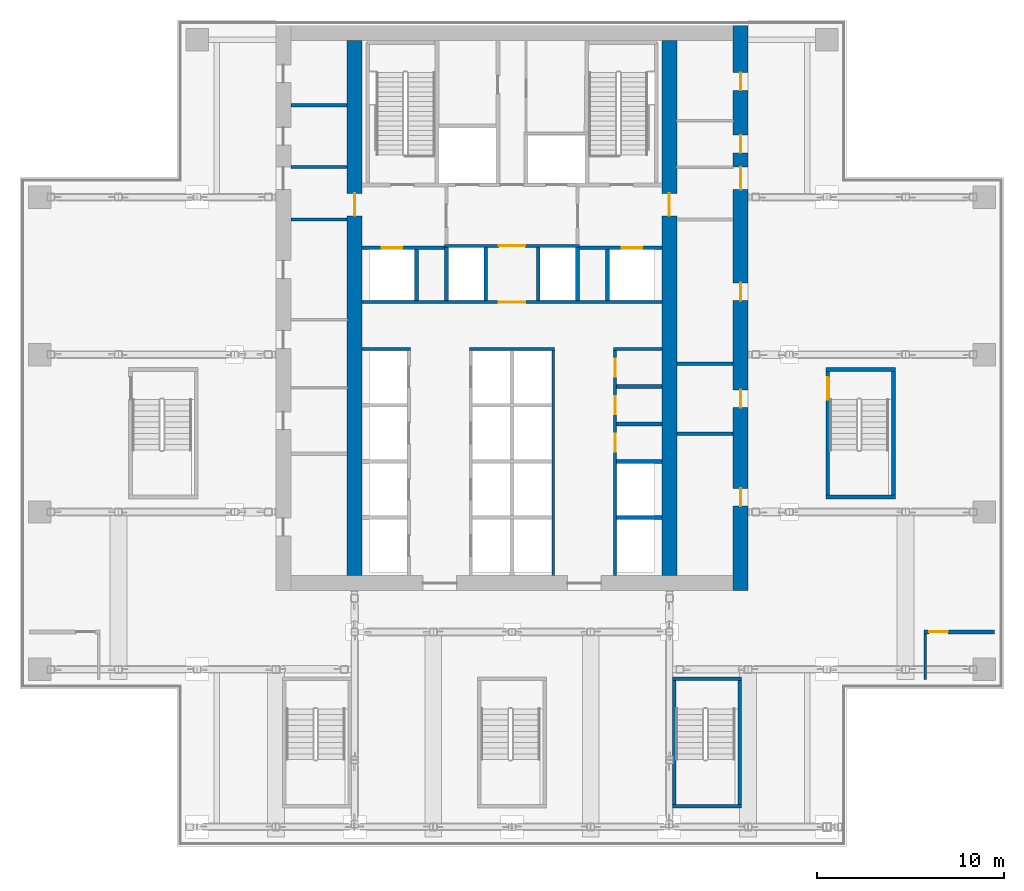
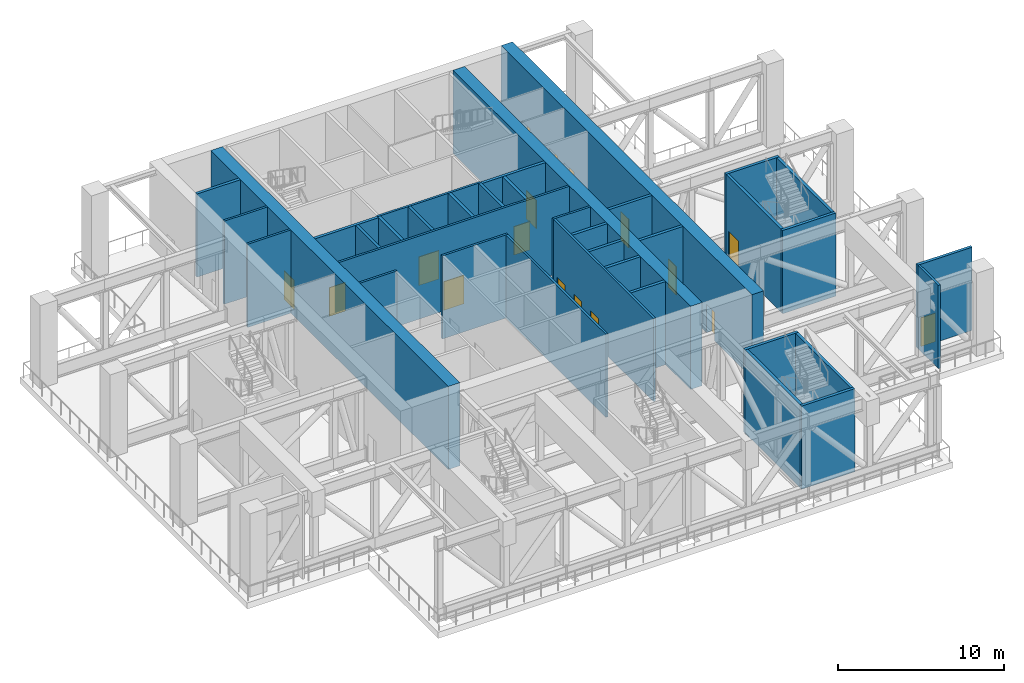
# One storey, part 17 of 23: 37 walls, 17 doors, 17 openings.
"""IFC4 building model written with IfcOpenShell, lengths in metres."""

from ifc_helpers import new_model, si_unit, direction, frame, frame_2d, origin, place, context, subcontext, project, spatial, rectangle, extrude, material, layer, layer_set, type_object, element, fill, save


model = new_model("IFC4")

# Units and contexts
model_context = context("Model", 3, precision=1e-05, world=origin(), true_north=direction((0.0, 1.0)))
body_context = subcontext(model_context, "Body", "Model", "MODEL_VIEW")
ifc_project = project(units=[si_unit("LENGTHUNIT", "METRE"), si_unit("AREAUNIT", "SQUARE_METRE"), si_unit("VOLUMEUNIT", "CUBIC_METRE"), si_unit("PLANEANGLEUNIT", "RADIAN"), si_unit("MASSUNIT", "GRAM", prefix="KILO")], contexts=[model_context])

# Site, building, storey
site_placement = place(None, origin())
site = spatial("IfcSite", under=ifc_project, at=site_placement, CompositionType="ELEMENT")
building_placement = place(site_placement, origin())
building = spatial("IfcBuilding", under=site, at=building_placement, Name="Vermilion Ogive Tower", CompositionType="ELEMENT")
storey_placement = place(building_placement, frame((0.0, 0.0, 121.800048828125)))
storey = spatial("IfcBuildingStorey", under=building, at=storey_placement, Name="L31", CompositionType="ELEMENT", Elevation=121.800048828125)

# Wall, openings, doors
ifc_material_1 = material(Name="Concrete B80", Category="concrete")
ifc_layer_1 = layer(ifc_material_1, 0.800048828125)
ifc_layer_set_1 = layer_set([ifc_layer_1], Name="Core wall 800 B80")
wall_type_1 = type_object("IfcWallType", Name="Core wall 800 B80", PredefinedType="SHEAR", material=ifc_layer_set_1)
wall_1_placement = place(storey_placement, frame((12.199951171875, -8.39990234375, 0.0), z_axis=(0.0, 0.0, 1.0), x_axis=(0.0, 1.0, 0.0)))
wall_1 = element("IfcWall", 1, at=wall_1_placement, inside=storey, type_object=wall_type_1, Name="L31-CORE-E", PredefinedType="SHEAR", context=body_context, shape_type="SweptSolid", body=[
    extrude(rectangle(XDim=30.14990234375, YDim=0.800048828125, at=frame_2d((15.074951171875, 0.0))), origin(), (0.0, 0.0, 1.0), 6.099853515625),
])
opening_1_placement = place(wall_1_placement, frame((4.51220703125, 0.0, 0.0)))
opening_1 = element("IfcOpeningElement", 2, at=opening_1_placement, cuts=wall_1, Name="Opening DAX001", PredefinedType="OPENING", context=body_context, shape_type="SweptSolid", body=[
    extrude(rectangle(XDim=0.949951171875, YDim=2.10009765625, at=frame_2d((0.47509765625, 1.050048828125))), frame((0.0, 0.409912109375, 0.0), z_axis=(0.0, -1.0, 0.0), x_axis=(1.0, 0.0, 0.0)), (0.0, 0.0, 1.0), 0.820068359375),
])
opening_2_placement = place(wall_1_placement, frame((9.768310546875, 0.0, 0.0)))
opening_2 = element("IfcOpeningElement", 3, at=opening_2_placement, cuts=wall_1, Name="Opening DAX002", PredefinedType="OPENING", context=body_context, shape_type="SweptSolid", body=[
    extrude(rectangle(XDim=0.949951171875, YDim=2.10009765625, at=frame_2d((0.47509765625, 1.050048828125))), frame((0.0, 0.409912109375, 0.0), z_axis=(0.0, -1.0, 0.0), x_axis=(1.0, 0.0, 0.0)), (0.0, 0.0, 1.0), 0.820068359375),
])
opening_3_placement = place(wall_1_placement, frame((15.48095703125, 0.0, 0.0)))
opening_3 = element("IfcOpeningElement", 4, at=opening_3_placement, cuts=wall_1, Name="Opening DAX003", PredefinedType="OPENING", context=body_context, shape_type="SweptSolid", body=[
    extrude(rectangle(XDim=0.949951171875, YDim=2.10009765625, at=frame_2d((0.47509765625, 1.050048828125))), frame((0.0, 0.409912109375, 0.0), z_axis=(0.0, -1.0, 0.0), x_axis=(1.0, 0.0, 0.0)), (0.0, 0.0, 1.0), 0.820068359375),
])
opening_4_placement = place(wall_1_placement, frame((23.364013671875, 0.0, 0.0)))
opening_4 = element("IfcOpeningElement", 5, at=opening_4_placement, cuts=wall_1, Name="Opening DAX004", PredefinedType="OPENING", context=body_context, shape_type="SweptSolid", body=[
    extrude(rectangle(XDim=0.949951171875, YDim=2.10009765625, at=frame_2d((0.47509765625, 1.050048828125))), frame((0.0, 0.409912109375, 0.0), z_axis=(0.0, -1.0, 0.0), x_axis=(1.0, 0.0, 0.0)), (0.0, 0.0, 1.0), 0.820068359375),
])
opening_5_placement = place(wall_1_placement, frame((26.689208984375, 0.0, 0.0)))
opening_5 = element("IfcOpeningElement", 6, at=opening_5_placement, cuts=wall_1, Name="Opening DAX005", PredefinedType="OPENING", context=body_context, shape_type="SweptSolid", body=[
    extrude(rectangle(XDim=0.949951171875, YDim=2.10009765625, at=frame_2d((0.47509765625, 1.050048828125))), frame((0.0, 0.409912109375, 0.0), z_axis=(0.0, -1.0, 0.0), x_axis=(1.0, 0.0, 0.0)), (0.0, 0.0, 1.0), 0.820068359375),
])
opening_6_placement = place(wall_1_placement, frame((21.39990234375, 0.0, 0.0)))
opening_6 = element("IfcOpeningElement", 7, at=opening_6_placement, cuts=wall_1, Name="Opening DBU001", PredefinedType="OPENING", context=body_context, shape_type="SweptSolid", body=[
    extrude(rectangle(XDim=1.199951171875, YDim=2.10009765625, at=frame_2d((0.60009765625, 1.050048828125))), frame((0.0, 0.409912109375, 0.0), z_axis=(0.0, -1.0, 0.0), x_axis=(1.0, 0.0, 0.0)), (0.0, 0.0, 1.0), 0.820068359375),
])
ifc_material_2 = material(Name="Timber door leaf", Category="wood")
door_type_1 = type_object("IfcDoorType", Name="Link door 1200 x 2100 FD60S", OperationType="SINGLE_SWING_LEFT", PredefinedType="DOOR", material=ifc_material_2)
door_1_placement = place(opening_6_placement, origin())
door_1 = element("IfcDoor", 8, at=door_1_placement, inside=storey, type_object=door_type_1, Name="L31-CKE-XL", OperationType="SINGLE_SWING_LEFT", OverallHeight=2.10009765625, OverallWidth=1.199951171875, PredefinedType="DOOR", context=body_context, shape_type="SweptSolid", body=[
    extrude(rectangle(XDim=1.199951171875, YDim=2.10009765625, at=frame_2d((0.60009765625, 1.050048828125))), frame((0.0, 0.02490234375, 0.0), z_axis=(0.0, -1.0, 0.0), x_axis=(1.0, 0.0, 0.0)), (0.0, 0.0, 1.0), 0.050048828125),
])
fill(opening_6, door_1)
ifc_material_3 = material(Name="Timber door leaf", Category="wood")
door_type_2 = type_object("IfcDoorType", Name="Service door 950 x 2100 FD60", OperationType="SINGLE_SWING_LEFT", PredefinedType="DOOR", material=ifc_material_3)
door_2_placement = place(opening_1_placement, origin())
door_2 = element("IfcDoor", 9, at=door_2_placement, inside=storey, type_object=door_type_2, Name="L31-CKE-XR0", OperationType="SINGLE_SWING_LEFT", OverallHeight=2.10009765625, OverallWidth=0.949951171875, PredefinedType="DOOR", context=body_context, shape_type="SweptSolid", body=[
    extrude(rectangle(XDim=0.949951171875, YDim=2.10009765625, at=frame_2d((0.47509765625, 1.050048828125))), frame((0.0, 0.02490234375, 0.0), z_axis=(0.0, -1.0, 0.0), x_axis=(1.0, 0.0, 0.0)), (0.0, 0.0, 1.0), 0.050048828125),
])
fill(opening_1, door_2)
door_3_placement = place(opening_2_placement, origin())
door_3 = element("IfcDoor", 10, at=door_3_placement, inside=storey, type_object=door_type_2, Name="L31-CKE-XR1", OperationType="SINGLE_SWING_LEFT", OverallHeight=2.10009765625, OverallWidth=0.949951171875, PredefinedType="DOOR", context=body_context, shape_type="SweptSolid", body=[
    extrude(rectangle(XDim=0.949951171875, YDim=2.10009765625, at=frame_2d((0.47509765625, 1.050048828125))), frame((0.0, 0.02490234375, 0.0), z_axis=(0.0, -1.0, 0.0), x_axis=(1.0, 0.0, 0.0)), (0.0, 0.0, 1.0), 0.050048828125),
])
fill(opening_2, door_3)
door_4_placement = place(opening_3_placement, origin())
door_4 = element("IfcDoor", 11, at=door_4_placement, inside=storey, type_object=door_type_2, Name="L31-CKE-XR2", OperationType="SINGLE_SWING_LEFT", OverallHeight=2.10009765625, OverallWidth=0.949951171875, PredefinedType="DOOR", context=body_context, shape_type="SweptSolid", body=[
    extrude(rectangle(XDim=0.949951171875, YDim=2.10009765625, at=frame_2d((0.47509765625, 1.050048828125))), frame((0.0, 0.02490234375, 0.0), z_axis=(0.0, -1.0, 0.0), x_axis=(1.0, 0.0, 0.0)), (0.0, 0.0, 1.0), 0.050048828125),
])
fill(opening_3, door_4)
door_5_placement = place(opening_4_placement, origin())
door_5 = element("IfcDoor", 12, at=door_5_placement, inside=storey, type_object=door_type_2, Name="L31-CKE-XR3", OperationType="SINGLE_SWING_LEFT", OverallHeight=2.10009765625, OverallWidth=0.949951171875, PredefinedType="DOOR", context=body_context, shape_type="SweptSolid", body=[
    extrude(rectangle(XDim=0.949951171875, YDim=2.10009765625, at=frame_2d((0.47509765625, 1.050048828125))), frame((0.0, 0.02490234375, 0.0), z_axis=(0.0, -1.0, 0.0), x_axis=(1.0, 0.0, 0.0)), (0.0, 0.0, 1.0), 0.050048828125),
])
fill(opening_4, door_5)
door_6_placement = place(opening_5_placement, origin())
door_6 = element("IfcDoor", 13, at=door_6_placement, inside=storey, type_object=door_type_2, Name="L31-CKE-XR4", OperationType="SINGLE_SWING_LEFT", OverallHeight=2.10009765625, OverallWidth=0.949951171875, PredefinedType="DOOR", context=body_context, shape_type="SweptSolid", body=[
    extrude(rectangle(XDim=0.949951171875, YDim=2.10009765625, at=frame_2d((0.47509765625, 1.050048828125))), frame((0.0, 0.02490234375, 0.0), z_axis=(0.0, -1.0, 0.0), x_axis=(1.0, 0.0, 0.0)), (0.0, 0.0, 1.0), 0.050048828125),
])
fill(opening_5, door_6)

# Wall, opening, door
wall_2_placement = place(storey_placement, frame((-8.39990234375, -7.60009765625, 0.0), z_axis=(0.0, 0.0, 1.0), x_axis=(0.0, 1.0, 0.0)))
wall_2 = element("IfcWall", 14, at=wall_2_placement, inside=storey, type_object=wall_type_1, Name="L31-CORE-WEB1", PredefinedType="SHEAR", context=body_context, shape_type="SweptSolid", body=[
    extrude(rectangle(XDim=28.550048828125, YDim=0.800048828125, at=frame_2d((14.27490234375, 0.0))), origin(), (0.0, 0.0, 1.0), 6.099853515625),
])
opening_7_placement = place(wall_2_placement, frame((19.199951171875, 0.0, 0.0)))
opening_7 = element("IfcOpeningElement", 15, at=opening_7_placement, cuts=wall_2, Name="Opening DBX001", PredefinedType="OPENING", context=body_context, shape_type="SweptSolid", body=[
    extrude(rectangle(XDim=1.199951171875, YDim=2.10009765625, at=frame_2d((0.60009765625, 1.050048828125))), frame((0.0, 0.409912109375, 0.0), z_axis=(0.0, -1.0, 0.0), x_axis=(1.0, 0.0, 0.0)), (0.0, 0.0, 1.0), 0.820068359375),
])
door_7_placement = place(opening_7_placement, origin())
door_7 = element("IfcDoor", 16, at=door_7_placement, inside=storey, type_object=door_type_1, Name="L31-CKW-XW", OperationType="SINGLE_SWING_LEFT", OverallHeight=2.10009765625, OverallWidth=1.199951171875, PredefinedType="DOOR", context=body_context, shape_type="SweptSolid", body=[
    extrude(rectangle(XDim=1.199951171875, YDim=2.10009765625, at=frame_2d((0.60009765625, 1.050048828125))), frame((0.0, 0.02490234375, 0.0), z_axis=(0.0, -1.0, 0.0), x_axis=(1.0, 0.0, 0.0)), (0.0, 0.0, 1.0), 0.050048828125),
])
fill(opening_7, door_7)

wall_3_placement = place(storey_placement, frame((8.39990234375, -7.60009765625, 0.0), z_axis=(0.0, 0.0, 1.0), x_axis=(0.0, 1.0, 0.0)))
wall_3 = element("IfcWall", 17, at=wall_3_placement, inside=storey, type_object=wall_type_1, Name="L31-CORE-WEB2", PredefinedType="SHEAR", context=body_context, shape_type="SweptSolid", body=[
    extrude(rectangle(XDim=28.550048828125, YDim=0.800048828125, at=frame_2d((14.27490234375, 0.0))), origin(), (0.0, 0.0, 1.0), 6.099853515625),
])
opening_8_placement = place(wall_3_placement, frame((19.199951171875, 0.0, 0.0)))
opening_8 = element("IfcOpeningElement", 18, at=opening_8_placement, cuts=wall_3, Name="Opening DBW001", PredefinedType="OPENING", context=body_context, shape_type="SweptSolid", body=[
    extrude(rectangle(XDim=1.199951171875, YDim=2.10009765625, at=frame_2d((0.60009765625, 1.050048828125))), frame((0.0, 0.409912109375, 0.0), z_axis=(0.0, -1.0, 0.0), x_axis=(1.0, 0.0, 0.0)), (0.0, 0.0, 1.0), 0.820068359375),
])
door_8_placement = place(opening_8_placement, origin())
door_8 = element("IfcDoor", 19, at=door_8_placement, inside=storey, type_object=door_type_1, Name="L31-CKE-XW", OperationType="SINGLE_SWING_LEFT", OverallHeight=2.10009765625, OverallWidth=1.199951171875, PredefinedType="DOOR", context=body_context, shape_type="SweptSolid", body=[
    extrude(rectangle(XDim=1.199951171875, YDim=2.10009765625, at=frame_2d((0.60009765625, 1.050048828125))), frame((0.0, 0.02490234375, 0.0), z_axis=(0.0, -1.0, 0.0), x_axis=(1.0, 0.0, 0.0)), (0.0, 0.0, 1.0), 0.050048828125),
])
fill(opening_8, door_8)

# Walls
ifc_material_4 = material(Name="Gypsum board partition on steel studs", Category="steel")
ifc_layer_2 = layer(ifc_material_4, 0.14990234375)
ifc_layer_set_2 = layer_set([ifc_layer_2], Name="Partition 150 corridor")
wall_type_2 = type_object("IfcWallType", Name="Partition 150 corridor", PredefinedType="PARTITIONING", material=ifc_layer_set_2)
wall_4_placement = place(storey_placement, frame((22.050048828125, -13.14990234375, 0.0), z_axis=(0.0, 0.0, 1.0), x_axis=(0.0, 1.0, 0.0)))
element("IfcWall", 20, at=wall_4_placement, inside=storey, type_object=wall_type_2, Name="L31-FS-W-W004", PredefinedType="PARTITIONING", context=body_context, shape_type="SweptSolid", body=[
    extrude(rectangle(XDim=2.449951171875, YDim=0.14990234375, at=frame_2d((1.22509765625, 0.0))), origin(), (0.0, 0.0, 1.0), 6.099853515625),
])
wall_5_placement = place(storey_placement, frame((-7.9990234375, 4.5, 0.0), z_axis=(0.0, 0.0, 1.0), x_axis=(1.0, 0.0, 0.0)))
element("IfcWall", 21, at=wall_5_placement, inside=storey, type_object=wall_type_2, Name="L31-CK-W-W011", PredefinedType="PARTITIONING", context=body_context, shape_type="SweptSolid", body=[
    extrude(rectangle(XDim=2.573974609375, YDim=0.14990234375, at=frame_2d((1.287109375, 0.0))), origin(), (0.0, 0.0, 1.0), 6.099853515625),
])
wall_6_placement = place(storey_placement, frame((-2.27490234375, 4.5, 0.0), z_axis=(0.0, 0.0, 1.0), x_axis=(1.0, 0.0, 0.0)))
element("IfcWall", 22, at=wall_6_placement, inside=storey, type_object=wall_type_2, Name="L31-CK-W-W012", PredefinedType="PARTITIONING", context=body_context, shape_type="SweptSolid", body=[
    extrude(rectangle(XDim=4.5498046875, YDim=0.14990234375, at=frame_2d((2.27490234375, 0.0))), origin(), (0.0, 0.0, 1.0), 6.099853515625),
])
wall_7_placement = place(storey_placement, frame((5.425048828125, 4.5, 0.0), z_axis=(0.0, 0.0, 1.0), x_axis=(1.0, 0.0, 0.0)))
element("IfcWall", 23, at=wall_7_placement, inside=storey, type_object=wall_type_2, Name="L31-CK-W-W013", PredefinedType="PARTITIONING", context=body_context, shape_type="SweptSolid", body=[
    extrude(rectangle(XDim=2.573974609375, YDim=0.14990234375, at=frame_2d((1.287109375, 0.0))), origin(), (0.0, 0.0, 1.0), 6.099853515625),
])

# Wall, opening, door
wall_8_placement = place(storey_placement, frame((-7.9990234375, 7.0, 0.0), z_axis=(0.0, 0.0, 1.0), x_axis=(1.0, 0.0, 0.0)))
wall_8 = element("IfcWall", 24, at=wall_8_placement, inside=storey, type_object=wall_type_2, Name="L31-CK-W-W014", PredefinedType="PARTITIONING", context=body_context, shape_type="SweptSolid", body=[
    extrude(rectangle(XDim=15.998046875, YDim=0.14990234375, at=frame_2d((7.9990234375, 0.0))), origin(), (0.0, 0.0, 1.0), 6.099853515625),
])
opening_9_placement = place(wall_8_placement, frame((7.299072265625, 0.0, 0.0)))
opening_9 = element("IfcOpeningElement", 25, at=opening_9_placement, cuts=wall_8, Name="Opening DAI003", PredefinedType="OPENING", context=body_context, shape_type="SweptSolid", body=[
    extrude(rectangle(XDim=1.39990234375, YDim=2.10009765625, at=frame_2d((0.699951171875, 1.050048828125))), frame((0.0, 0.0849609375, 0.0), z_axis=(0.0, -1.0, 0.0), x_axis=(1.0, 0.0, 0.0)), (0.0, 0.0, 1.0), 0.169921875),
])
ifc_material_5 = material(Name="Timber door leaf", Category="wood")
door_type_3 = type_object("IfcDoorType", Name="Lobby door 1400 x 2100 FD60S", OperationType="SINGLE_SWING_LEFT", PredefinedType="DOOR", material=ifc_material_5)
door_9_placement = place(opening_9_placement, origin())
door_9 = element("IfcDoor", 26, at=door_9_placement, inside=storey, type_object=door_type_3, Name="L31-CK-D-D016", OperationType="SINGLE_SWING_RIGHT", OverallHeight=2.10009765625, OverallWidth=1.39990234375, PredefinedType="DOOR", context=body_context, shape_type="SweptSolid", body=[
    extrude(rectangle(XDim=1.39990234375, YDim=2.10009765625, at=frame_2d((0.699951171875, 1.050048828125))), frame((0.0, 0.02490234375, 0.0), z_axis=(0.0, -1.0, 0.0), x_axis=(1.0, 0.0, 0.0)), (0.0, 0.0, 1.0), 0.050048828125),
])
fill(opening_9, door_9)

wall_9_placement = place(storey_placement, frame((-3.60009765625, 10.0, 0.0), z_axis=(0.0, 0.0, 1.0), x_axis=(1.0, 0.0, 0.0)))
wall_9 = element("IfcWall", 27, at=wall_9_placement, inside=storey, type_object=wall_type_2, Name="L31-CK-W-W017", PredefinedType="PARTITIONING", context=body_context, shape_type="SweptSolid", body=[
    extrude(rectangle(XDim=7.2001953125, YDim=0.14990234375, at=frame_2d((3.60009765625, 0.0))), origin(), (0.0, 0.0, 1.0), 6.099853515625),
])
opening_10_placement = place(wall_9_placement, frame((2.900146484375, 0.0, 0.0)))
opening_10 = element("IfcOpeningElement", 28, at=opening_10_placement, cuts=wall_9, Name="Opening DAI004", PredefinedType="OPENING", context=body_context, shape_type="SweptSolid", body=[
    extrude(rectangle(XDim=1.39990234375, YDim=2.10009765625, at=frame_2d((0.699951171875, 1.050048828125))), frame((0.0, 0.0849609375, 0.0), z_axis=(0.0, -1.0, 0.0), x_axis=(1.0, 0.0, 0.0)), (0.0, 0.0, 1.0), 0.169921875),
])
door_10_placement = place(opening_10_placement, origin())
door_10 = element("IfcDoor", 29, at=door_10_placement, inside=storey, type_object=door_type_3, Name="L31-CK-D-D017", OperationType="SINGLE_SWING_RIGHT", OverallHeight=2.10009765625, OverallWidth=1.39990234375, PredefinedType="DOOR", context=body_context, shape_type="SweptSolid", body=[
    extrude(rectangle(XDim=1.39990234375, YDim=2.10009765625, at=frame_2d((0.699951171875, 1.050048828125))), frame((0.0, 0.02490234375, 0.0), z_axis=(0.0, -1.0, 0.0), x_axis=(1.0, 0.0, 0.0)), (0.0, 0.0, 1.0), 0.050048828125),
])
fill(opening_10, door_10)

# Wall
wall_10_placement = place(storey_placement, frame((2.199951171875, -7.59912109375, 0.0), z_axis=(0.0, 0.0, 1.0), x_axis=(0.0, 1.0, 0.0)))
element("IfcWall", 30, at=wall_10_placement, inside=storey, type_object=wall_type_2, Name="L31-CK-W-W035", PredefinedType="PARTITIONING", context=body_context, shape_type="SweptSolid", body=[
    extrude(rectangle(XDim=12.024169921875, YDim=0.14990234375, at=frame_2d((6.01220703125, 0.0))), origin(), (0.0, 0.0, 1.0), 6.099853515625),
])

# Wall, openings, doors
wall_11_placement = place(storey_placement, frame((5.5, -7.59912109375, 0.0), z_axis=(0.0, 0.0, 1.0), x_axis=(0.0, 1.0, 0.0)))
wall_11 = element("IfcWall", 31, at=wall_11_placement, inside=storey, type_object=wall_type_2, Name="L31-CK-W-W041", PredefinedType="PARTITIONING", context=body_context, shape_type="SweptSolid", body=[
    extrude(rectangle(XDim=12.024169921875, YDim=0.14990234375, at=frame_2d((6.01220703125, 0.0))), origin(), (0.0, 0.0, 1.0), 6.099853515625),
])
opening_11_placement = place(wall_11_placement, frame((6.6240234375, 0.0, 0.0)))
opening_11 = element("IfcOpeningElement", 32, at=opening_11_placement, cuts=wall_11, Name="Opening DAI006", PredefinedType="OPENING", context=body_context, shape_type="SweptSolid", body=[
    extrude(rectangle(XDim=0.949951171875, YDim=2.10009765625, at=frame_2d((0.47509765625, 1.050048828125))), frame((0.0, 0.0849609375, 0.0), z_axis=(0.0, -1.0, 0.0), x_axis=(1.0, 0.0, 0.0)), (0.0, 0.0, 1.0), 0.169921875),
])
opening_12_placement = place(wall_11_placement, frame((8.6240234375, 0.0, 0.0)))
opening_12 = element("IfcOpeningElement", 33, at=opening_12_placement, cuts=wall_11, Name="Opening DAI007", PredefinedType="OPENING", context=body_context, shape_type="SweptSolid", body=[
    extrude(rectangle(XDim=0.949951171875, YDim=2.10009765625, at=frame_2d((0.47509765625, 1.050048828125))), frame((0.0, 0.0849609375, 0.0), z_axis=(0.0, -1.0, 0.0), x_axis=(1.0, 0.0, 0.0)), (0.0, 0.0, 1.0), 0.169921875),
])
opening_13_placement = place(wall_11_placement, frame((10.6240234375, 0.0, 0.0)))
opening_13 = element("IfcOpeningElement", 34, at=opening_13_placement, cuts=wall_11, Name="Opening DAI008", PredefinedType="OPENING", context=body_context, shape_type="SweptSolid", body=[
    extrude(rectangle(XDim=0.949951171875, YDim=2.10009765625, at=frame_2d((0.47509765625, 1.050048828125))), frame((0.0, 0.0849609375, 0.0), z_axis=(0.0, -1.0, 0.0), x_axis=(1.0, 0.0, 0.0)), (0.0, 0.0, 1.0), 0.169921875),
])
door_11_placement = place(opening_11_placement, origin())
door_11 = element("IfcDoor", 35, at=door_11_placement, inside=storey, type_object=door_type_2, Name="L31-CK-D-D009", OperationType="SINGLE_SWING_RIGHT", OverallHeight=2.10009765625, OverallWidth=0.949951171875, PredefinedType="DOOR", context=body_context, shape_type="SweptSolid", body=[
    extrude(rectangle(XDim=0.949951171875, YDim=2.10009765625, at=frame_2d((0.47509765625, 1.050048828125))), frame((0.0, 0.02490234375, 0.0), z_axis=(0.0, -1.0, 0.0), x_axis=(1.0, 0.0, 0.0)), (0.0, 0.0, 1.0), 0.050048828125),
])
fill(opening_11, door_11)
door_12_placement = place(opening_12_placement, origin())
door_12 = element("IfcDoor", 36, at=door_12_placement, inside=storey, type_object=door_type_2, Name="L31-CK-D-D010", OperationType="SINGLE_SWING_LEFT", OverallHeight=2.10009765625, OverallWidth=0.949951171875, PredefinedType="DOOR", context=body_context, shape_type="SweptSolid", body=[
    extrude(rectangle(XDim=0.949951171875, YDim=2.10009765625, at=frame_2d((0.47509765625, 1.050048828125))), frame((0.0, 0.02490234375, 0.0), z_axis=(0.0, -1.0, 0.0), x_axis=(1.0, 0.0, 0.0)), (0.0, 0.0, 1.0), 0.050048828125),
])
fill(opening_12, door_12)
door_13_placement = place(opening_13_placement, origin())
door_13 = element("IfcDoor", 37, at=door_13_placement, inside=storey, type_object=door_type_2, Name="L31-CK-D-D011", OperationType="SINGLE_SWING_RIGHT", OverallHeight=2.10009765625, OverallWidth=0.949951171875, PredefinedType="DOOR", context=body_context, shape_type="SweptSolid", body=[
    extrude(rectangle(XDim=0.949951171875, YDim=2.10009765625, at=frame_2d((0.47509765625, 1.050048828125))), frame((0.0, 0.02490234375, 0.0), z_axis=(0.0, -1.0, 0.0), x_axis=(1.0, 0.0, 0.0)), (0.0, 0.0, 1.0), 0.050048828125),
])
fill(opening_13, door_13)

# Walls
for number, where, z_axis, x_axis, name in (
    (38, (-11.799072265625, 11.39990234375, 0.0), (0.0, 0.0, 1.0), (1.0, 0.0, 0.0), "L31-CKW-W-W004"),
    (39, (-11.799072265625, 14.199951171875, 0.0), (0.0, 0.0, 1.0), (1.0, 0.0, 0.0), "L31-CKW-W-W005"),
):
    element("IfcWall", number, at=place(storey_placement, frame(where, z_axis=z_axis, x_axis=x_axis)), inside=storey, type_object=wall_type_2, Name=name, PredefinedType="PARTITIONING", context=body_context, shape_type="SweptSolid", body=[
        extrude(rectangle(XDim=2.998046875, YDim=0.14990234375, at=frame_2d((1.4990234375, 0.0))), origin(), (0.0, 0.0, 1.0), 6.099853515625),
    ])

# Wall, opening, door
ifc_material_6 = material(Name="Gypsum board partition on steel studs", Category="steel")
ifc_layer_3 = layer(ifc_material_6, 0.199951171875)
ifc_layer_set_3 = layer_set([ifc_layer_3], Name="Partition 200 party")
wall_type_3 = type_object("IfcWallType", Name="Partition 200 party", PredefinedType="PARTITIONING", material=ifc_layer_set_3)
wall_12_placement = place(storey_placement, frame((21.97509765625, -10.60009765625, 0.0), z_axis=(0.0, 0.0, 1.0), x_axis=(1.0, 0.0, 0.0)))
wall_12 = element("IfcWall", 40, at=wall_12_placement, inside=storey, type_object=wall_type_3, Name="L31-FS-W-W002", PredefinedType="PARTITIONING", context=body_context, shape_type="SweptSolid", body=[
    extrude(rectangle(XDim=3.77490234375, YDim=0.199951171875, at=frame_2d((1.887451171875, 0.0))), origin(), (0.0, 0.0, 1.0), 6.099853515625),
])
opening_14_placement = place(wall_12_placement, frame((0.27490234375, 0.0, 0.0)))
opening_14 = element("IfcOpeningElement", 41, at=opening_14_placement, cuts=wall_12, Name="Opening L31S002", PredefinedType="OPENING", context=body_context, shape_type="SweptSolid", body=[
    extrude(rectangle(XDim=1.0, YDim=2.10009765625, at=frame_2d((0.5, 1.050048828125))), frame((0.0, 0.10986328125, 0.0), z_axis=(0.0, -1.0, 0.0), x_axis=(1.0, 0.0, 0.0)), (0.0, 0.0, 1.0), 0.219970703125),
])
ifc_material_7 = material(Name="Timber door leaf", Category="wood")
door_type_4 = type_object("IfcDoorType", Name="Fire door 1000 x 2100 FD30", OperationType="SINGLE_SWING_LEFT", PredefinedType="DOOR", material=ifc_material_7)
door_14_placement = place(opening_14_placement, origin())
door_14 = element("IfcDoor", 42, at=door_14_placement, inside=storey, type_object=door_type_4, Name="L31-FS-D-D002", OperationType="SINGLE_SWING_RIGHT", OverallHeight=2.10009765625, OverallWidth=1.0, PredefinedType="DOOR", context=body_context, shape_type="SweptSolid", body=[
    extrude(rectangle(XDim=1.0, YDim=2.10009765625, at=frame_2d((0.5, 1.050048828125))), frame((0.0, 0.02490234375, 0.0), z_axis=(0.0, -1.0, 0.0), x_axis=(1.0, 0.0, 0.0)), (0.0, 0.0, 1.0), 0.050048828125),
])
fill(opening_14, door_14)

# Walls
for number, where, z_axis, x_axis, name in (
    (43, (5.574951171875, -4.5, 0.0), (0.0, 0.0, 1.0), (1.0, 0.0, 0.0), "L31-CK-W-W003"),
    (44, (5.574951171875, -1.5, 0.0), (0.0, 0.0, 1.0), (1.0, 0.0, 0.0), "L31-CK-W-W006"),
    (45, (5.574951171875, 0.5, 0.0), (0.0, 0.0, 1.0), (1.0, 0.0, 0.0), "L31-CK-W-W007"),
    (46, (5.574951171875, 2.5, 0.0), (0.0, 0.0, 1.0), (1.0, 0.0, 0.0), "L31-CK-W-W010"),
):
    element("IfcWall", number, at=place(storey_placement, frame(where, z_axis=z_axis, x_axis=x_axis)), inside=storey, type_object=wall_type_3, Name=name, PredefinedType="PARTITIONING", context=body_context, shape_type="SweptSolid", body=[
        extrude(rectangle(XDim=2.424072265625, YDim=0.199951171875, at=frame_2d((1.2119140625, 0.0))), origin(), (0.0, 0.0, 1.0), 6.099853515625),
    ])

# Wall, opening, door
wall_13_placement = place(storey_placement, frame((-7.9990234375, 9.89990234375, 0.0), z_axis=(0.0, 0.0, 1.0), x_axis=(1.0, 0.0, 0.0)))
wall_13 = element("IfcWall", 47, at=wall_13_placement, inside=storey, type_object=wall_type_3, Name="L31-CK-W-W015", PredefinedType="PARTITIONING", context=body_context, shape_type="SweptSolid", body=[
    extrude(rectangle(XDim=4.39892578125, YDim=0.199951171875, at=frame_2d((2.199462890625, 0.0))), origin(), (0.0, 0.0, 1.0), 6.099853515625),
])
opening_15_placement = place(wall_13_placement, frame((1.049072265625, 0.0, 0.0)))
opening_15 = element("IfcOpeningElement", 48, at=opening_15_placement, cuts=wall_13, Name="Opening DAI023", PredefinedType="OPENING", context=body_context, shape_type="SweptSolid", body=[
    extrude(rectangle(XDim=1.10009765625, YDim=2.10009765625, at=frame_2d((0.550048828125, 1.050048828125))), frame((0.0, 0.10986328125, 0.0), z_axis=(0.0, -1.0, 0.0), x_axis=(1.0, 0.0, 0.0)), (0.0, 0.0, 1.0), 0.219970703125),
])
ifc_material_8 = material(Name="Stainless steel", Category="steel")
door_type_5 = type_object("IfcDoorType", Name="Lift landing door 1100 x 2100", OperationType="SLIDING_TO_LEFT", PredefinedType="DOOR", material=ifc_material_8)
door_15_placement = place(opening_15_placement, origin())
door_15 = element("IfcDoor", 49, at=door_15_placement, inside=storey, type_object=door_type_5, Name="L31-CK-D-D013", OperationType="SLIDING_TO_LEFT", OverallHeight=2.10009765625, OverallWidth=1.10009765625, PredefinedType="DOOR", context=body_context, shape_type="SweptSolid", body=[
    extrude(rectangle(XDim=1.10009765625, YDim=2.10009765625, at=frame_2d((0.550048828125, 1.050048828125))), frame((0.0, 0.02490234375, 0.0), z_axis=(0.0, -1.0, 0.0), x_axis=(1.0, 0.0, 0.0)), (0.0, 0.0, 1.0), 0.050048828125),
])
fill(opening_15, door_15)

wall_14_placement = place(storey_placement, frame((3.60009765625, 9.89990234375, 0.0), z_axis=(0.0, 0.0, 1.0), x_axis=(1.0, 0.0, 0.0)))
wall_14 = element("IfcWall", 50, at=wall_14_placement, inside=storey, type_object=wall_type_3, Name="L31-CK-W-W016", PredefinedType="PARTITIONING", context=body_context, shape_type="SweptSolid", body=[
    extrude(rectangle(XDim=4.39892578125, YDim=0.199951171875, at=frame_2d((2.199462890625, 0.0))), origin(), (0.0, 0.0, 1.0), 6.099853515625),
])
opening_16_placement = place(wall_14_placement, frame((2.25, 0.0, 0.0)))
opening_16 = element("IfcOpeningElement", 51, at=opening_16_placement, cuts=wall_14, Name="Opening DAI014", PredefinedType="OPENING", context=body_context, shape_type="SweptSolid", body=[
    extrude(rectangle(XDim=1.10009765625, YDim=2.10009765625, at=frame_2d((0.550048828125, 1.050048828125))), frame((0.0, 0.10986328125, 0.0), z_axis=(0.0, -1.0, 0.0), x_axis=(1.0, 0.0, 0.0)), (0.0, 0.0, 1.0), 0.219970703125),
])
door_16_placement = place(opening_16_placement, origin())
door_16 = element("IfcDoor", 52, at=door_16_placement, inside=storey, type_object=door_type_5, Name="L31-CK-D-D015", OperationType="SLIDING_TO_LEFT", OverallHeight=2.10009765625, OverallWidth=1.10009765625, PredefinedType="DOOR", context=body_context, shape_type="SweptSolid", body=[
    extrude(rectangle(XDim=1.10009765625, YDim=2.10009765625, at=frame_2d((0.550048828125, 1.050048828125))), frame((0.0, 0.02490234375, 0.0), z_axis=(0.0, -1.0, 0.0), x_axis=(1.0, 0.0, 0.0)), (0.0, 0.0, 1.0), 0.050048828125),
])
fill(opening_16, door_16)

# Walls
wall_15_placement = place(storey_placement, frame((-5.10009765625, 7.074951171875, 0.0), z_axis=(0.0, 0.0, 1.0), x_axis=(0.0, 1.0, 0.0)))
element("IfcWall", 53, at=wall_15_placement, inside=storey, type_object=wall_type_3, Name="L31-CK-W-W024", PredefinedType="PARTITIONING", context=body_context, shape_type="SweptSolid", body=[
    extrude(rectangle(XDim=2.72509765625, YDim=0.199951171875, at=frame_2d((1.362548828125, 0.0))), origin(), (0.0, 0.0, 1.0), 6.099853515625),
])
for number, where, z_axis, x_axis, name in (
    (54, (-3.5, 7.074951171875, 0.0), (0.0, 0.0, 1.0), (0.0, 1.0, 0.0), "L31-CK-W-W026"),
    (55, (-1.39990234375, 7.074951171875, 0.0), (0.0, 0.0, 1.0), (0.0, 1.0, 0.0), "L31-CK-W-W029"),
    (56, (1.39990234375, 7.074951171875, 0.0), (0.0, 0.0, 1.0), (0.0, 1.0, 0.0), "L31-CK-W-W034"),
    (57, (3.5, 7.074951171875, 0.0), (0.0, 0.0, 1.0), (0.0, 1.0, 0.0), "L31-CK-W-W036"),
):
    element("IfcWall", number, at=place(storey_placement, frame(where, z_axis=z_axis, x_axis=x_axis)), inside=storey, type_object=wall_type_3, Name=name, PredefinedType="PARTITIONING", context=body_context, shape_type="SweptSolid", body=[
        extrude(rectangle(XDim=2.85009765625, YDim=0.199951171875, at=frame_2d((1.425048828125, 0.0))), origin(), (0.0, 0.0, 1.0), 6.099853515625),
    ])
wall_16_placement = place(storey_placement, frame((5.10009765625, 7.074951171875, 0.0), z_axis=(0.0, 0.0, 1.0), x_axis=(0.0, 1.0, 0.0)))
element("IfcWall", 58, at=wall_16_placement, inside=storey, type_object=wall_type_3, Name="L31-CK-W-W040", PredefinedType="PARTITIONING", context=body_context, shape_type="SweptSolid", body=[
    extrude(rectangle(XDim=2.72509765625, YDim=0.199951171875, at=frame_2d((1.362548828125, 0.0))), origin(), (0.0, 0.0, 1.0), 6.099853515625),
])
for number, where, z_axis, x_axis, name in (
    (59, (-11.799072265625, 17.50390625, 0.0), (0.0, 0.0, 1.0), (1.0, 0.0, 0.0), "L31-CKW-W-W006"),
    (60, (8.801025390625, -0.02490234375, 0.0), (0.0, 0.0, 1.0), (1.0, 0.0, 0.0), "L31-CKE-W-W001"),
    (61, (8.801025390625, 3.7119140625, 0.0), (0.0, 0.0, 1.0), (1.0, 0.0, 0.0), "L31-CKE-W-W002"),
):
    element("IfcWall", number, at=place(storey_placement, frame(where, z_axis=z_axis, x_axis=x_axis)), inside=storey, type_object=wall_type_3, Name=name, PredefinedType="PARTITIONING", context=body_context, shape_type="SweptSolid", body=[
        extrude(rectangle(XDim=2.998046875, YDim=0.199951171875, at=frame_2d((1.4990234375, 0.0))), origin(), (0.0, 0.0, 1.0), 6.099853515625),
    ])
ifc_material_9 = material(Name="Concrete B60", Category="concrete")
ifc_layer_4 = layer(ifc_material_9, 0.199951171875)
ifc_layer_set_4 = layer_set([ifc_layer_4], Name="Stair shaft wall 200 Concrete B60")
wall_type_4 = type_object("IfcWallType", Name="Stair shaft wall 200 Concrete B60", PredefinedType="SOLIDWALL", material=ifc_layer_set_4)
for number, where, z_axis, x_axis, name in (
    (62, (8.550048828125, -19.89990234375, 0.0), (0.0, 0.0, 1.0), (1.0, 0.0, 0.0), "L31-SW-ST5-S1"),
    (63, (8.550048828125, -13.10009765625, 0.0), (0.0, 0.0, 1.0), (1.0, 0.0, 0.0), "L31-SW-ST5-N1"),
):
    element("IfcWall", number, at=place(storey_placement, frame(where, z_axis=z_axis, x_axis=x_axis)), inside=storey, type_object=wall_type_4, Name=name, PredefinedType="SOLIDWALL", context=body_context, shape_type="SweptSolid", body=[
        extrude(rectangle(XDim=3.699951171875, YDim=0.199951171875, at=frame_2d((1.85009765625, 0.0))), origin(), (0.0, 0.0, 1.0), 6.099853515625),
    ])
for number, where, z_axis, x_axis, name in (
    (64, (8.64990234375, -19.800048828125, 0.0), (0.0, 0.0, 1.0), (0.0, 1.0, 0.0), "L31-SW-ST5-W1"),
    (65, (12.14990234375, -19.800048828125, 0.0), (0.0, 0.0, 1.0), (0.0, 1.0, 0.0), "L31-SW-ST5-E1"),
):
    element("IfcWall", number, at=place(storey_placement, frame(where, z_axis=z_axis, x_axis=x_axis)), inside=storey, type_object=wall_type_4, Name=name, PredefinedType="SOLIDWALL", context=body_context, shape_type="SweptSolid", body=[
        extrude(rectangle(XDim=6.60009765625, YDim=0.199951171875, at=frame_2d((3.300048828125, 0.0))), origin(), (0.0, 0.0, 1.0), 6.099853515625),
    ])
for number, where, z_axis, x_axis, name in (
    (66, (16.75, -3.39990234375, 0.0), (0.0, 0.0, 1.0), (1.0, 0.0, 0.0), "L31-SW-ST8-S1"),
    (67, (16.75, 3.39990234375, 0.0), (0.0, 0.0, 1.0), (1.0, 0.0, 0.0), "L31-SW-ST8-N1"),
):
    element("IfcWall", number, at=place(storey_placement, frame(where, z_axis=z_axis, x_axis=x_axis)), inside=storey, type_object=wall_type_4, Name=name, PredefinedType="SOLIDWALL", context=body_context, shape_type="SweptSolid", body=[
        extrude(rectangle(XDim=3.699951171875, YDim=0.199951171875, at=frame_2d((1.85009765625, 0.0))), origin(), (0.0, 0.0, 1.0), 6.099853515625),
    ])

# Wall, opening, door
wall_17_placement = place(storey_placement, frame((16.85009765625, -3.300048828125, 0.0), z_axis=(0.0, 0.0, 1.0), x_axis=(0.0, 1.0, 0.0)))
wall_17 = element("IfcWall", 68, at=wall_17_placement, inside=storey, type_object=wall_type_4, Name="L31-SW-ST8-W1", PredefinedType="SOLIDWALL", context=body_context, shape_type="SweptSolid", body=[
    extrude(rectangle(XDim=6.60009765625, YDim=0.199951171875, at=frame_2d((3.300048828125, 0.0))), origin(), (0.0, 0.0, 1.0), 6.099853515625),
])
opening_17_placement = place(wall_17_placement, frame((5.10009765625, 0.0, 0.0)))
opening_17 = element("IfcOpeningElement", 69, at=opening_17_placement, cuts=wall_17, Name="Opening DBK001", PredefinedType="OPENING", context=body_context, shape_type="SweptSolid", body=[
    extrude(rectangle(XDim=1.199951171875, YDim=2.10009765625, at=frame_2d((0.60009765625, 1.050048828125))), frame((0.0, 0.10986328125, 0.0), z_axis=(0.0, -1.0, 0.0), x_axis=(1.0, 0.0, 0.0)), (0.0, 0.0, 1.0), 0.219970703125),
])
ifc_material_10 = material(Name="Timber door leaf", Category="wood")
door_type_6 = type_object("IfcDoorType", Name="Stair door 1200 x 2100 FD60S", OperationType="SINGLE_SWING_LEFT", PredefinedType="DOOR", material=ifc_material_10)
door_17_placement = place(opening_17_placement, origin())
door_17 = element("IfcDoor", 70, at=door_17_placement, inside=storey, type_object=door_type_6, Name="Stair door ST8", OperationType="SINGLE_SWING_LEFT", OverallHeight=2.10009765625, OverallWidth=1.199951171875, PredefinedType="DOOR", context=body_context, shape_type="SweptSolid", body=[
    extrude(rectangle(XDim=1.199951171875, YDim=2.10009765625, at=frame_2d((0.60009765625, 1.050048828125))), frame((0.0, 0.02490234375, 0.0), z_axis=(0.0, -1.0, 0.0), x_axis=(1.0, 0.0, 0.0)), (0.0, 0.0, 1.0), 0.050048828125),
])
fill(opening_17, door_17)

# Wall
wall_18_placement = place(storey_placement, frame((20.35009765625, -3.300048828125, 0.0), z_axis=(0.0, 0.0, 1.0), x_axis=(0.0, 1.0, 0.0)))
element("IfcWall", 71, at=wall_18_placement, inside=storey, type_object=wall_type_4, Name="L31-SW-ST8-E1", PredefinedType="SOLIDWALL", context=body_context, shape_type="SweptSolid", body=[
    extrude(rectangle(XDim=6.60009765625, YDim=0.199951171875, at=frame_2d((3.300048828125, 0.0))), origin(), (0.0, 0.0, 1.0), 6.099853515625),
])

save(model, "model.ifc")
